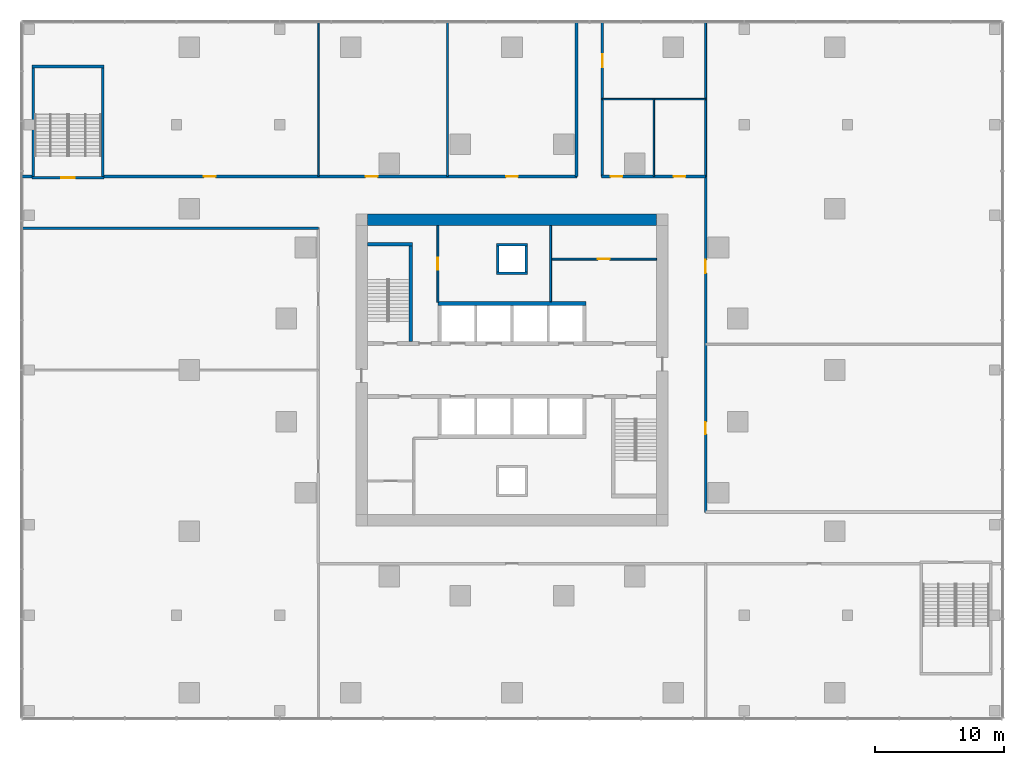
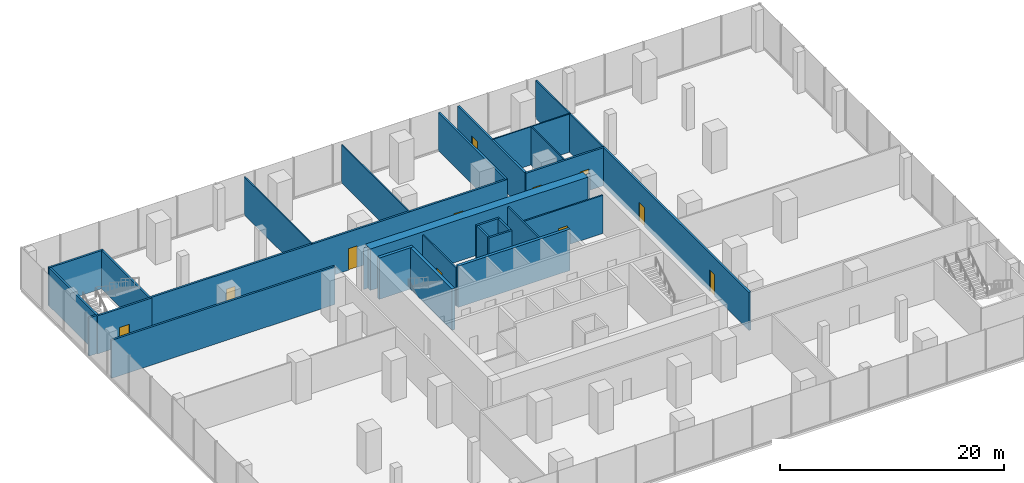
# One storey, part 11 of 15: 27 walls, 11 doors, 11 openings.
"""IFC4 building model written with IfcOpenShell, lengths in metres."""

import ifcopenshell
import ifcopenshell.guid

model = None  # the IFC model being written
_history = None  # IfcOwnerHistory: only IFC2X3 demands one
_inside = {}  # id of a spatial element -> (the spatial element, [elements in it])
_under = {}  # id of a project, library or spatial element -> (it, [spatial elements below it])
_declared = {}  # id of a project -> (the project, [libraries it declares])
_typed = {}  # id of a type object -> (the type object, [elements of that type])
_made_of = {}  # id of a material, layer set ... -> (it, [elements and type objects made of it])


def new_model(schema):
    """Start an empty IFC model of exactly this schema.

    Asked for "IFC4X3", IfcOpenShell would pick the latest addendum, in which some entities
    have other attributes; the version numbers below select the first issue.
    IFC2X3 requires an IfcOwnerHistory on every rooted entity: one is made here for all.
    """
    global model, _history
    if schema == "IFC4X3":
        model = ifcopenshell.file(schema_version=(4, 3, 0, 0))
    else:
        model = ifcopenshell.file(schema=schema)
    _inside.clear()
    _under.clear()
    _declared.clear()
    _typed.clear()
    _made_of.clear()
    _history = None
    if model.schema == "IFC2X3":
        org = make("IfcOrganization", Name="unknown")
        user = make(
            "IfcPersonAndOrganization",
            ThePerson=make("IfcPerson", FamilyName="unknown"),
            TheOrganization=org,
        )
        app = make(
            "IfcApplication",
            ApplicationDeveloper=org,
            Version="unknown",
            ApplicationFullName="unknown",
            ApplicationIdentifier="unknown",
        )
        _history = make(
            "IfcOwnerHistory",
            OwningUser=user,
            OwningApplication=app,
            ChangeAction="ADDED",
            CreationDate=0,
        )
    return model


def make(cls, **values):
    """One entity of the class cls with the attributes given. An attribute that is None is left unset."""
    return model.create_entity(
        cls, **{name: value for name, value in values.items() if value is not None}
    )


def rooted(cls, **values):
    """An entity with a GlobalId (a new one), such as an element, a storey or a relation."""
    return make(cls, GlobalId=ifcopenshell.guid.new(), OwnerHistory=_history, **values)


def si_unit(unit_type, name, prefix=None):
    """IfcSIUnit, for example si_unit("LENGTHUNIT", "METRE", prefix="MILLI")."""
    return make("IfcSIUnit", UnitType=unit_type, Prefix=prefix, Name=name)


def assignment(units):
    """IfcUnitAssignment: the units of a project."""
    return None if units is None else make("IfcUnitAssignment", Units=units)


def point(xyz):
    """IfcCartesianPoint."""
    return None if xyz is None else make("IfcCartesianPoint", Coordinates=xyz)


def direction(xyz):
    """IfcDirection."""
    return None if xyz is None else make("IfcDirection", DirectionRatios=xyz)


def frame(location, z_axis=None, x_axis=None):
    """IfcAxis2Placement3D, a coordinate frame: its origin and axes. An axis left out is left unset."""
    return make(
        "IfcAxis2Placement3D",
        Location=point(location),
        Axis=direction(z_axis),
        RefDirection=direction(x_axis),
    )


def frame_2d(location, x_axis=None):
    """IfcAxis2Placement2D, a coordinate frame in the plane: its origin and x axis."""
    return make(
        "IfcAxis2Placement2D", Location=point(location), RefDirection=direction(x_axis)
    )


def origin():
    """The frame at (0, 0, 0) with its axes left unset."""
    return frame((0.0, 0.0, 0.0))


def place(relative_to, where):
    """IfcLocalPlacement: puts the frame where relative to a parent placement (None: the world)."""
    return make(
        "IfcLocalPlacement", PlacementRelTo=relative_to, RelativePlacement=where
    )


def context(
    kind, dimensions, precision=None, world=None, true_north=None, identifier=None
):
    """IfcGeometricRepresentationContext, for example the 3D "Model" context."""
    return make(
        "IfcGeometricRepresentationContext",
        ContextIdentifier=identifier,
        ContextType=kind,
        CoordinateSpaceDimension=dimensions,
        Precision=precision,
        WorldCoordinateSystem=world,
        TrueNorth=true_north,
    )


def subcontext(parent, identifier, kind, view, scale=None):
    """IfcGeometricRepresentationSubContext, for example "Body" below "Model"."""
    return make(
        "IfcGeometricRepresentationSubContext",
        ContextIdentifier=identifier,
        ContextType=kind,
        ParentContext=parent,
        TargetScale=scale,
        TargetView=view,
    )


def project(units=None, contexts=None):
    """IfcProject with its units and contexts."""
    return rooted(
        "IfcProject",
        Name="project",
        RepresentationContexts=contexts,
        UnitsInContext=assignment(units),
    )


def spatial(cls, under=None, at=None, **own):
    """A site, building, storey or space (cls), placed at a placement, below another one or the project."""
    s = rooted(cls, ObjectPlacement=at, **own)
    if under is not None:
        _under.setdefault(under.id(), (under, []))[1].append(s)
    return s


def polyline(points):
    """IfcPolyline through the points."""
    return make("IfcPolyline", Points=[point(p) for p in points])


def profile(cls, at=None, kind="AREA", **sizes):
    """A parametric profile (cls). Its sizes go by their IFC names, for example OverallWidth=200.0."""
    return make(cls, ProfileType=kind, Position=at, **sizes)


def rectangle(**sizes):
    """IfcRectangleProfileDef."""
    return profile("IfcRectangleProfileDef", **sizes)


def outline(outer, holes=None, kind="AREA"):
    """IfcArbitraryClosedProfileDef: a profile drawn as a closed curve; with holes, ...WithVoids."""
    if holes is None:
        return make("IfcArbitraryClosedProfileDef", ProfileType=kind, OuterCurve=outer)
    return make(
        "IfcArbitraryProfileDefWithVoids",
        ProfileType=kind,
        OuterCurve=outer,
        InnerCurves=holes,
    )


def extrude(swept, where, along, depth):
    """IfcExtrudedAreaSolid: the profile swept, set in the frame where, extruded along a direction by depth."""
    return make(
        "IfcExtrudedAreaSolid",
        SweptArea=swept,
        Position=where,
        ExtrudedDirection=direction(along),
        Depth=depth,
    )


def shape(context_of_items, identifier, shape_type, items):
    """IfcShapeRepresentation: the items that make up one representation, for example the "Body"."""
    return make(
        "IfcShapeRepresentation",
        ContextOfItems=context_of_items,
        RepresentationIdentifier=identifier,
        RepresentationType=shape_type,
        Items=items,
    )


def material(Name=None, Category=None):
    """IfcMaterial."""
    return make("IfcMaterial", Name=Name, Category=Category)


def layer(
    of_material, thickness, ventilated=None, Name=None, Category=None, Priority=None
):
    """IfcMaterialLayer: one layer of a wall or slab, of a material (None: an air gap)."""
    return make(
        "IfcMaterialLayer",
        Material=of_material,
        LayerThickness=thickness,
        IsVentilated=ventilated,
        Name=Name,
        Category=Category,
        Priority=Priority,
    )


def layer_set(layers, Name=None):
    """IfcMaterialLayerSet."""
    return make("IfcMaterialLayerSet", MaterialLayers=layers, LayerSetName=Name)


def made_of(thing, what):
    """Note that an element or type object is made of a material, layer set ...; save() writes the relation."""
    if what is not None:
        _made_of.setdefault(what.id(), (what, []))[1].append(thing)
    return thing


def type_object(cls, material=None, **own):
    """A type object (cls), such as IfcWallType, which elements share."""
    return made_of(rooted(cls, **own), material)


def element(
    cls,
    number,
    at=None,
    inside=None,
    cuts=None,
    type_object=None,
    material=None,
    context=None,
    identifier="Body",
    shape_type=None,
    held_by="IfcProductDefinitionShape",
    body=None,
    shapes=None,
    **own,
):
    """One element of the class cls, such as IfcWall. Its Tag is "e" and its number.

    at: its placement. inside: the storey or other place that contains it. cuts: it is an
    opening in that element (IfcRelVoidsElement). A single representation is given by context,
    identifier, shape_type and body (its items); several are given by shapes. held_by: the class
    of the entity that holds the representations. save() writes the other relations.
    """
    e = rooted(cls, Tag="e%d" % number, ObjectPlacement=at, **own)
    if body is not None:
        shapes = [shape(context, identifier, shape_type, body)]
    if shapes is not None:
        e.Representation = make(held_by, Representations=shapes)
    if inside is not None:
        _inside.setdefault(inside.id(), (inside, []))[1].append(e)
    if cuts is not None:
        rooted(
            "IfcRelVoidsElement", RelatingBuildingElement=cuts, RelatedOpeningElement=e
        )
    if type_object is not None:
        _typed.setdefault(type_object.id(), (type_object, []))[1].append(e)
    return made_of(e, material)


def fill(opening, filler):
    """IfcRelFillsElement: the door or window that sits in an opening."""
    return rooted(
        "IfcRelFillsElement",
        RelatingOpeningElement=opening,
        RelatedBuildingElement=filler,
    )


def aggregate(whole, parts):
    """IfcRelAggregates: a whole, such as a stair, and the parts it consists of."""
    return rooted("IfcRelAggregates", RelatingObject=whole, RelatedObjects=parts)


def save(model, path):
    """Write the relations noted so far, then the file.

    IfcRelAggregates (storeys below a building ...), IfcRelContainedInSpatialStructure (elements
    in a storey), IfcRelDefinesByType, IfcRelAssociatesMaterial and IfcRelDeclares: one each for
    every whole, place, type object, material and project.
    """
    for whole, parts in _under.values():
        aggregate(whole, parts)
    for where, things in _inside.values():
        rooted(
            "IfcRelContainedInSpatialStructure",
            RelatedElements=things,
            RelatingStructure=where,
        )
    for kind, things in _typed.values():
        rooted("IfcRelDefinesByType", RelatedObjects=things, RelatingType=kind)
    for what, things in _made_of.values():
        rooted("IfcRelAssociatesMaterial", RelatedObjects=things, RelatingMaterial=what)
    for by, libraries in _declared.values():
        rooted("IfcRelDeclares", RelatingContext=by, RelatedDefinitions=libraries)
    model.write(path)


model = new_model("IFC4")

# Units and contexts
model_context = context("Model", 3, precision=1e-05, world=origin(), true_north=direction((0.0, 1.0)))
body_context = subcontext(model_context, "Body", "Model", "MODEL_VIEW")
ifc_project = project(units=[si_unit("LENGTHUNIT", "METRE"), si_unit("AREAUNIT", "SQUARE_METRE"), si_unit("VOLUMEUNIT", "CUBIC_METRE"), si_unit("PLANEANGLEUNIT", "RADIAN"), si_unit("MASSUNIT", "GRAM", prefix="KILO")], contexts=[model_context])

# Site, building, storey
site_placement = place(None, origin())
site = spatial("IfcSite", under=ifc_project, at=site_placement, CompositionType="ELEMENT")
building_placement = place(site_placement, origin())
building = spatial("IfcBuilding", under=site, at=building_placement, Name="Torsade Residences", CompositionType="ELEMENT")
storey_placement = place(building_placement, frame((0.0, 0.0, 6.0)))
storey = spatial("IfcBuildingStorey", under=building, at=storey_placement, Name="L01", CompositionType="ELEMENT", Elevation=6.0)

# Walls
ifc_material_1 = material(Name="Concrete 80 MPa", Category="concrete")
ifc_layer_1 = layer(ifc_material_1, 0.300048828125)
ifc_layer_set_1 = layer_set([ifc_layer_1], Name="Concrete 80 MPa")
wall_type_1 = type_object("IfcWallType", Name="CORE INTERNAL WALL 300", PredefinedType="SHEAR", material=ifc_layer_set_1)
wall_1_placement = place(storey_placement, frame((34.25, 35.14990234375, 0.0), z_axis=(0.0, 0.0, 1.0), x_axis=(1.0, 0.0, 0.0)))
element("IfcWall", 1, at=wall_1_placement, inside=storey, type_object=wall_type_1, Name="Core wall BN L01", PredefinedType="SHEAR", context=body_context, shape_type="SweptSolid", body=[
    extrude(rectangle(XDim=11.5, YDim=0.300048828125, at=frame_2d((5.75, 0.0))), origin(), (0.0, 0.0, 1.0), 4.5),
])
wall_2_placement = place(storey_placement, frame((32.14990234375, 32.199951171875, 0.0), z_axis=(0.0, 0.0, 1.0), x_axis=(0.0, 1.0, 0.0)))
element("IfcWall", 2, at=wall_2_placement, inside=storey, type_object=wall_type_1, Name="Core wall ST1E L01", PredefinedType="SHEAR", context=body_context, shape_type="SweptSolid", body=[
    extrude(rectangle(XDim=7.699951171875, YDim=0.300048828125, at=frame_2d((3.85009765625, 0.0))), origin(), (0.0, 0.0, 1.0), 4.5),
])
wall_3_placement = place(storey_placement, frame((28.800048828125, 39.75, 0.0), z_axis=(0.0, 0.0, 1.0), x_axis=(1.0, 0.0, 0.0)))
element("IfcWall", 3, at=wall_3_placement, inside=storey, type_object=wall_type_1, Name="Core wall ST1N L01", PredefinedType="SHEAR", context=body_context, shape_type="SweptSolid", body=[
    extrude(rectangle(XDim=3.5, YDim=0.300048828125, at=frame_2d((1.75, 0.0))), origin(), (0.0, 0.0, 1.0), 4.5),
])
ifc_material_2 = material(Name="Concrete 80 MPa", Category="concrete")
ifc_layer_2 = layer(ifc_material_2, 0.89990234375)
ifc_layer_set_2 = layer_set([ifc_layer_2], Name="Concrete 80 MPa")
wall_type_2 = type_object("IfcWallType", Name="CORE WALL 900", PredefinedType="SHEAR", material=ifc_layer_set_2)
wall_4_placement = place(storey_placement, frame((28.800048828125, 41.64990234375, 0.0), z_axis=(0.0, 0.0, 1.0), x_axis=(1.0, 0.0, 0.0)))
element("IfcWall", 4, at=wall_4_placement, inside=storey, type_object=wall_type_2, Name="Core wall N L01", PredefinedType="SHEAR", context=body_context, shape_type="SweptSolid", body=[
    extrude(outline(polyline([(0.0, -0.449951171875), (22.39990234375, -0.449951171875), (22.39990234375, -0.02490234375), (22.849853515625, -0.02490234375), (22.849853515625, 0.02490234375), (22.39990234375, 0.02490234375), (22.39990234375, 0.449951171875), (0.0, 0.449951171875), (0.0, 0.02490234375), (-0.449951171875, 0.02490234375), (-0.449951171875, -0.02490234375), (0.0, -0.02490234375), (0.0, -0.449951171875)])), origin(), (0.0, 0.0, 1.0), 4.5),
])

# Wall, openings, doors
ifc_material_3 = material(Name="Plasterboard on steel stud", Category="steel")
ifc_layer_3 = layer(ifc_material_3, 0.199951171875)
ifc_layer_set_3 = layer_set([ifc_layer_3], Name="Plasterboard on steel stud")
wall_type_3 = type_object("IfcWallType", Name="CORRIDOR WALL 200", PredefinedType="PARTITIONING", material=ifc_layer_set_3)
wall_5_placement = place(storey_placement, frame((8.39990234375, 45.0, 0.0), z_axis=(0.0, 0.0, 1.0), x_axis=(1.0, 0.0, 0.0)))
wall_5 = element("IfcWall", 5, at=wall_5_placement, inside=storey, type_object=wall_type_3, Name="Corridor wall L01", PredefinedType="PARTITIONING", context=body_context, shape_type="SweptSolid", body=[
    extrude(rectangle(XDim=36.650146484375, YDim=0.199951171875, at=frame_2d((18.3251953125, 0.0))), origin(), (0.0, 0.0, 1.0), 4.14990234375),
])
opening_1_placement = place(wall_5_placement, frame((31.139892578125, 0.0, 0.0)))
opening_1 = element("IfcOpeningElement", 6, at=opening_1_placement, cuts=wall_5, Name="Opening D02", PredefinedType="OPENING", context=body_context, shape_type="SweptSolid", body=[
    extrude(rectangle(XDim=0.919921875, YDim=2.340087890625, at=frame_2d((0.4599609375, 1.169921875))), frame((0.0, 0.10986328125, 0.0), z_axis=(0.0, -1.0, 0.0), x_axis=(1.0, 0.0, 0.0)), (0.0, 0.0, 1.0), 0.219970703125),
])
opening_2_placement = place(wall_5_placement, frame((20.264892578125, 0.0, 0.0)))
opening_2 = element("IfcOpeningElement", 7, at=opening_2_placement, cuts=wall_5, Name="Opening D02", PredefinedType="OPENING", context=body_context, shape_type="SweptSolid", body=[
    extrude(rectangle(XDim=0.919921875, YDim=2.340087890625, at=frame_2d((0.4599609375, 1.169921875))), frame((0.0, 0.10986328125, 0.0), z_axis=(0.0, -1.0, 0.0), x_axis=(1.0, 0.0, 0.0)), (0.0, 0.0, 1.0), 0.219970703125),
])
opening_3_placement = place(wall_5_placement, frame((7.715087890625, 0.0, 0.0)))
opening_3 = element("IfcOpeningElement", 8, at=opening_3_placement, cuts=wall_5, Name="Opening D02", PredefinedType="OPENING", context=body_context, shape_type="SweptSolid", body=[
    extrude(rectangle(XDim=0.919921875, YDim=2.340087890625, at=frame_2d((0.4599609375, 1.169921875))), frame((0.0, 0.10986328125, 0.0), z_axis=(0.0, -1.0, 0.0), x_axis=(1.0, 0.0, 0.0)), (0.0, 0.0, 1.0), 0.219970703125),
])
ifc_material_4 = material(Name="Hollow-core timber door", Category="wood")
door_type_1 = type_object("IfcDoorType", Name="INTERNAL DOOR 920x2340", OperationType="NOTDEFINED", PredefinedType="DOOR", material=ifc_material_4)
door_1_placement = place(opening_1_placement, origin())
door_1 = element("IfcDoor", 9, at=door_1_placement, inside=storey, type_object=door_type_1, Name="Door Amenity corridor to Male change room", OperationType="SINGLE_SWING_RIGHT", OverallHeight=2.340087890625, OverallWidth=0.919921875, PredefinedType="DOOR", context=body_context, shape_type="SweptSolid", body=[
    extrude(rectangle(XDim=0.919921875, YDim=2.340087890625, at=frame_2d((0.4599609375, 1.169921875))), frame((0.0, 0.02490234375, 0.0), z_axis=(0.0, -1.0, 0.0), x_axis=(1.0, 0.0, 0.0)), (0.0, 0.0, 1.0), 0.050048828125),
])
fill(opening_1, door_1)
door_2_placement = place(opening_2_placement, origin())
door_2 = element("IfcDoor", 10, at=door_2_placement, inside=storey, type_object=door_type_1, Name="Door Amenity corridor to Female change room", OperationType="SINGLE_SWING_RIGHT", OverallHeight=2.340087890625, OverallWidth=0.919921875, PredefinedType="DOOR", context=body_context, shape_type="SweptSolid", body=[
    extrude(rectangle(XDim=0.919921875, YDim=2.340087890625, at=frame_2d((0.4599609375, 1.169921875))), frame((0.0, 0.02490234375, 0.0), z_axis=(0.0, -1.0, 0.0), x_axis=(1.0, 0.0, 0.0)), (0.0, 0.0, 1.0), 0.050048828125),
])
fill(opening_2, door_2)
door_3_placement = place(opening_3_placement, origin())
door_3 = element("IfcDoor", 11, at=door_3_placement, inside=storey, type_object=door_type_1, Name="Door Amenity corridor west to Co-working room", OperationType="SINGLE_SWING_RIGHT", OverallHeight=2.340087890625, OverallWidth=0.919921875, PredefinedType="DOOR", context=body_context, shape_type="SweptSolid", body=[
    extrude(rectangle(XDim=0.919921875, YDim=2.340087890625, at=frame_2d((0.4599609375, 1.169921875))), frame((0.0, 0.02490234375, 0.0), z_axis=(0.0, -1.0, 0.0), x_axis=(1.0, 0.0, 0.0)), (0.0, 0.0, 1.0), 0.050048828125),
])
fill(opening_3, door_3)

wall_6_placement = place(storey_placement, frame((46.949951171875, 45.0, 0.0), z_axis=(0.0, 0.0, 1.0), x_axis=(1.0, 0.0, 0.0)))
wall_6 = element("IfcWall", 12, at=wall_6_placement, inside=storey, type_object=wall_type_3, Name="Corridor wall L01", PredefinedType="PARTITIONING", context=body_context, shape_type="SweptSolid", body=[
    extrude(rectangle(XDim=8.050048828125, YDim=0.199951171875, at=frame_2d((4.02490234375, 0.0))), origin(), (0.0, 0.0, 1.0), 4.14990234375),
])
opening_4_placement = place(wall_6_placement, frame((0.68994140625, 0.0, 0.0)))
opening_4 = element("IfcOpeningElement", 13, at=opening_4_placement, cuts=wall_6, Name="Opening D02", PredefinedType="OPENING", context=body_context, shape_type="SweptSolid", body=[
    extrude(rectangle(XDim=0.919921875, YDim=2.340087890625, at=frame_2d((0.4599609375, 1.169921875))), frame((0.0, 0.10986328125, 0.0), z_axis=(0.0, -1.0, 0.0), x_axis=(1.0, 0.0, 0.0)), (0.0, 0.0, 1.0), 0.219970703125),
])
opening_5_placement = place(wall_6_placement, frame((5.56494140625, 0.0, 0.0)))
opening_5 = element("IfcOpeningElement", 14, at=opening_5_placement, cuts=wall_6, Name="Opening D02", PredefinedType="OPENING", context=body_context, shape_type="SweptSolid", body=[
    extrude(rectangle(XDim=0.919921875, YDim=2.340087890625, at=frame_2d((0.4599609375, 1.169921875))), frame((0.0, 0.10986328125, 0.0), z_axis=(0.0, -1.0, 0.0), x_axis=(1.0, 0.0, 0.0)), (0.0, 0.0, 1.0), 0.219970703125),
])
door_4_placement = place(opening_4_placement, origin())
door_4 = element("IfcDoor", 15, at=door_4_placement, inside=storey, type_object=door_type_1, Name="Door Amenity corridor to Accessible WC and shower", OperationType="SINGLE_SWING_RIGHT", OverallHeight=2.340087890625, OverallWidth=0.919921875, PredefinedType="DOOR", context=body_context, shape_type="SweptSolid", body=[
    extrude(rectangle(XDim=0.919921875, YDim=2.340087890625, at=frame_2d((0.4599609375, 1.169921875))), frame((0.0, 0.02490234375, 0.0), z_axis=(0.0, -1.0, 0.0), x_axis=(1.0, 0.0, 0.0)), (0.0, 0.0, 1.0), 0.050048828125),
])
fill(opening_4, door_4)
door_5_placement = place(opening_5_placement, origin())
door_5 = element("IfcDoor", 16, at=door_5_placement, inside=storey, type_object=door_type_1, Name="Door Amenity corridor to Baby change room", OperationType="SINGLE_SWING_LEFT", OverallHeight=2.340087890625, OverallWidth=0.919921875, PredefinedType="DOOR", context=body_context, shape_type="SweptSolid", body=[
    extrude(rectangle(XDim=0.919921875, YDim=2.340087890625, at=frame_2d((0.4599609375, 1.169921875))), frame((0.0, 0.02490234375, 0.0), z_axis=(0.0, -1.0, 0.0), x_axis=(1.0, 0.0, 0.0)), (0.0, 0.0, 1.0), 0.050048828125),
])
fill(opening_5, door_5)

wall_7_placement = place(storey_placement, frame((55.0, 45.0, 0.0), z_axis=(0.0, 0.0, 1.0), x_axis=(0.0, -1.0, 0.0)))
wall_7 = element("IfcWall", 17, at=wall_7_placement, inside=storey, type_object=wall_type_3, Name="Corridor wall L01", PredefinedType="PARTITIONING", context=body_context, shape_type="SweptSolid", body=[
    extrude(rectangle(XDim=26.050048828125, YDim=0.199951171875, at=frame_2d((13.02490234375, 0.0))), origin(), (0.0, 0.0, 1.0), 4.14990234375),
])
opening_6_placement = place(wall_7_placement, frame((19.0400390625, 0.0, 0.0)))
opening_6 = element("IfcOpeningElement", 18, at=opening_6_placement, cuts=wall_7, Name="Opening D02", PredefinedType="OPENING", context=body_context, shape_type="SweptSolid", body=[
    extrude(rectangle(XDim=0.919921875, YDim=2.340087890625, at=frame_2d((0.4599609375, 1.169921875))), frame((0.0, 0.10986328125, 0.0), z_axis=(0.0, -1.0, 0.0), x_axis=(1.0, 0.0, 0.0)), (0.0, 0.0, 1.0), 0.219970703125),
])
opening_7_placement = place(wall_7_placement, frame((6.465087890625, 0.0, 0.0)))
opening_7 = element("IfcOpeningElement", 19, at=opening_7_placement, cuts=wall_7, Name="Opening D03", PredefinedType="OPENING", context=body_context, shape_type="SweptSolid", body=[
    extrude(rectangle(XDim=1.02001953125, YDim=2.10009765625, at=frame_2d((0.510009765625, 1.050048828125))), frame((0.0, 0.10986328125, 0.0), z_axis=(0.0, -1.0, 0.0), x_axis=(1.0, 0.0, 0.0)), (0.0, 0.0, 1.0), 0.219970703125),
])
ifc_material_5 = material(Name="Steel-framed fire door", Category="steel")
door_type_2 = type_object("IfcDoorType", Name="FIRE DOOR 1020", OperationType="NOTDEFINED", PredefinedType="DOOR", material=ifc_material_5)
door_6_placement = place(opening_7_placement, origin())
door_6 = element("IfcDoor", 20, at=door_6_placement, inside=storey, type_object=door_type_2, Name="Door Amenity corridor to Residents storage", OperationType="SINGLE_SWING_LEFT", OverallHeight=2.10009765625, OverallWidth=1.02001953125, PredefinedType="DOOR", context=body_context, shape_type="SweptSolid", body=[
    extrude(rectangle(XDim=1.02001953125, YDim=2.10009765625, at=frame_2d((0.510009765625, 1.050048828125))), frame((0.0, 0.02490234375, 0.0), z_axis=(0.0, -1.0, 0.0), x_axis=(1.0, 0.0, 0.0)), (0.0, 0.0, 1.0), 0.050048828125),
])
fill(opening_7, door_6)
door_7_placement = place(opening_6_placement, origin())
door_7 = element("IfcDoor", 21, at=door_7_placement, inside=storey, type_object=door_type_1, Name="Door Amenity corridor to Wellness room", OperationType="SINGLE_SWING_LEFT", OverallHeight=2.340087890625, OverallWidth=0.919921875, PredefinedType="DOOR", context=body_context, shape_type="SweptSolid", body=[
    extrude(rectangle(XDim=0.919921875, YDim=2.340087890625, at=frame_2d((0.4599609375, 1.169921875))), frame((0.0, 0.02490234375, 0.0), z_axis=(0.0, -1.0, 0.0), x_axis=(1.0, 0.0, 0.0)), (0.0, 0.0, 1.0), 0.050048828125),
])
fill(opening_6, door_7)

# Walls
wall_8_placement = place(storey_placement, frame((25.0, 41.0, 0.0), z_axis=(0.0, 0.0, 1.0), x_axis=(-1.0, 0.0, 0.0)))
element("IfcWall", 22, at=wall_8_placement, inside=storey, type_object=wall_type_3, Name="Corridor wall L01", PredefinedType="PARTITIONING", context=body_context, shape_type="SweptSolid", body=[
    extrude(rectangle(XDim=23.0, YDim=0.199951171875, at=frame_2d((11.5, 0.0))), origin(), (0.0, 0.0, 1.0), 4.14990234375),
])
wall_9_placement = place(storey_placement, frame((2.0, 45.0, 0.0), z_axis=(0.0, 0.0, 1.0), x_axis=(1.0, 0.0, 0.0)))
element("IfcWall", 23, at=wall_9_placement, inside=storey, type_object=wall_type_3, Name="Corridor wall L01", PredefinedType="PARTITIONING", context=body_context, shape_type="SweptSolid", body=[
    extrude(rectangle(XDim=0.800048828125, YDim=0.199951171875, at=frame_2d((0.39990234375, 0.0))), origin(), (0.0, 0.0, 1.0), 4.14990234375),
])
wall_10_placement = place(storey_placement, frame((45.0, 57.0, 0.0), z_axis=(0.0, 0.0, 1.0), x_axis=(0.0, -1.0, 0.0)))
element("IfcWall", 24, at=wall_10_placement, inside=storey, type_object=wall_type_3, Name="Corridor wall L01", PredefinedType="PARTITIONING", context=body_context, shape_type="SweptSolid", body=[
    extrude(rectangle(XDim=12.0, YDim=0.199951171875, at=frame_2d((6.0, 0.0))), origin(), (0.0, 0.0, 1.0), 4.14990234375),
])

# Wall, opening, door
wall_11_placement = place(storey_placement, frame((47.0, 57.0, 0.0), z_axis=(0.0, 0.0, 1.0), x_axis=(0.0, -1.0, 0.0)))
wall_11 = element("IfcWall", 25, at=wall_11_placement, inside=storey, type_object=wall_type_3, Name="Corridor wall L01", PredefinedType="PARTITIONING", context=body_context, shape_type="SweptSolid", body=[
    extrude(rectangle(XDim=12.0, YDim=0.199951171875, at=frame_2d((6.0, 0.0))), origin(), (0.0, 0.0, 1.0), 4.14990234375),
])
opening_8_placement = place(wall_11_placement, frame((2.514892578125, 0.0, 0.0)))
opening_8 = element("IfcOpeningElement", 26, at=opening_8_placement, cuts=wall_11, Name="Opening D04", PredefinedType="OPENING", context=body_context, shape_type="SweptSolid", body=[
    extrude(rectangle(XDim=1.02001953125, YDim=2.39990234375, at=frame_2d((0.510009765625, 1.199951171875))), frame((0.0, 0.10986328125, 0.0), z_axis=(0.0, -1.0, 0.0), x_axis=(1.0, 0.0, 0.0)), (0.0, 0.0, 1.0), 0.219970703125),
])
ifc_material_6 = material(Name="Steel-framed fire door", Category="steel")
door_type_3 = type_object("IfcDoorType", Name="LOBBY SMOKE DOOR 1020x2400", OperationType="NOTDEFINED", PredefinedType="DOOR", material=ifc_material_6)
door_8_placement = place(opening_8_placement, origin())
door_8 = element("IfcDoor", 27, at=door_8_placement, inside=storey, type_object=door_type_3, Name="Door WC lobby to First aid room", OperationType="SINGLE_SWING_RIGHT", OverallHeight=2.39990234375, OverallWidth=1.02001953125, PredefinedType="DOOR", context=body_context, shape_type="SweptSolid", body=[
    extrude(rectangle(XDim=1.02001953125, YDim=2.39990234375, at=frame_2d((0.510009765625, 1.199951171875))), frame((0.0, 0.02490234375, 0.0), z_axis=(0.0, -1.0, 0.0), x_axis=(1.0, 0.0, 0.0)), (0.0, 0.0, 1.0), 0.050048828125),
])
fill(opening_8, door_8)

# Walls
ifc_material_7 = material(Name="Plasterboard on steel stud", Category="steel")
ifc_layer_4 = layer(ifc_material_7, 0.1201171875)
ifc_layer_set_4 = layer_set([ifc_layer_4], Name="Plasterboard on steel stud")
wall_type_4 = type_object("IfcWallType", Name="PARTITION 120", PredefinedType="PARTITIONING", material=ifc_layer_set_4)
for number, where, z_axis, x_axis, name in (
    (28, (25.0, 57.0, 0.0), (0.0, 0.0, 1.0), (0.0, -1.0, 0.0), "Partition L01"),
    (29, (35.0, 57.0, 0.0), (0.0, 0.0, 1.0), (0.0, -1.0, 0.0), "Partition L01"),
):
    element("IfcWall", number, at=place(storey_placement, frame(where, z_axis=z_axis, x_axis=x_axis)), inside=storey, type_object=wall_type_4, Name=name, PredefinedType="PARTITIONING", context=body_context, shape_type="SweptSolid", body=[
        extrude(rectangle(XDim=12.0, YDim=0.1201171875, at=frame_2d((6.0, 0.0))), origin(), (0.0, 0.0, 1.0), 4.14990234375),
    ])
wall_12_placement = place(storey_placement, frame((51.0, 51.0, 0.0), z_axis=(0.0, 0.0, 1.0), x_axis=(0.0, -1.0, 0.0)))
element("IfcWall", 30, at=wall_12_placement, inside=storey, type_object=wall_type_4, Name="Partition L01", PredefinedType="PARTITIONING", context=body_context, shape_type="SweptSolid", body=[
    extrude(rectangle(XDim=6.0, YDim=0.1201171875, at=frame_2d((3.0, 0.0))), origin(), (0.0, 0.0, 1.0), 4.14990234375),
])
wall_13_placement = place(storey_placement, frame((47.0, 51.0, 0.0), z_axis=(0.0, 0.0, 1.0), x_axis=(1.0, 0.0, 0.0)))
element("IfcWall", 31, at=wall_13_placement, inside=storey, type_object=wall_type_4, Name="Partition L01", PredefinedType="PARTITIONING", context=body_context, shape_type="SweptSolid", body=[
    extrude(rectangle(XDim=8.0, YDim=0.1201171875, at=frame_2d((4.0, 0.0))), origin(), (0.0, 0.0, 1.0), 4.14990234375),
])

# Wall, opening, door
ifc_material_8 = material(Name="Reinforced blockwork", Category="masonry")
ifc_layer_5 = layer(ifc_material_8, 0.199951171875)
ifc_layer_set_5 = layer_set([ifc_layer_5], Name="Reinforced blockwork")
wall_type_5 = type_object("IfcWallType", Name="PODIUM STAIR ENCLOSURE WALL 200", PredefinedType="SOLIDWALL", material=ifc_layer_set_5)
wall_14_placement = place(storey_placement, frame((2.800048828125, 44.89990234375, 0.0), z_axis=(0.0, 0.0, 1.0), x_axis=(1.0, 0.0, 0.0)))
wall_14 = element("IfcWall", 32, at=wall_14_placement, inside=storey, type_object=wall_type_5, Name="Stair enclosure wall L01", PredefinedType="SOLIDWALL", context=body_context, shape_type="SweptSolid", body=[
    extrude(rectangle(XDim=5.599853515625, YDim=0.199951171875, at=frame_2d((2.7998046875, 0.0))), origin(), (0.0, 0.0, 1.0), 4.14990234375),
])
opening_9_placement = place(wall_14_placement, frame((2.2900390625, 0.0, 0.0)))
opening_9 = element("IfcOpeningElement", 33, at=opening_9_placement, cuts=wall_14, Name="Opening D03", PredefinedType="OPENING", context=body_context, shape_type="SweptSolid", body=[
    extrude(rectangle(XDim=1.02001953125, YDim=2.10009765625, at=frame_2d((0.510009765625, 1.050048828125))), frame((0.0, 0.10986328125, 0.0), z_axis=(0.0, -1.0, 0.0), x_axis=(1.0, 0.0, 0.0)), (0.0, 0.0, 1.0), 0.219970703125),
])
door_9_placement = place(opening_9_placement, origin())
door_9 = element("IfcDoor", 34, at=door_9_placement, inside=storey, type_object=door_type_2, Name="Exit door to fire-isolated stair ST3 L01", OperationType="SINGLE_SWING_LEFT", OverallHeight=2.10009765625, OverallWidth=1.02001953125, PredefinedType="DOOR", context=body_context, shape_type="SweptSolid", body=[
    extrude(rectangle(XDim=1.02001953125, YDim=2.10009765625, at=frame_2d((0.510009765625, 1.050048828125))), frame((0.0, 0.02490234375, 0.0), z_axis=(0.0, -1.0, 0.0), x_axis=(1.0, 0.0, 0.0)), (0.0, 0.0, 1.0), 0.050048828125),
])
fill(opening_9, door_9)

# Walls
wall_15_placement = place(storey_placement, frame((8.300048828125, 45.0, 0.0), z_axis=(0.0, 0.0, 1.0), x_axis=(0.0, 1.0, 0.0)))
element("IfcWall", 35, at=wall_15_placement, inside=storey, type_object=wall_type_5, Name="Stair enclosure wall L01", PredefinedType="SOLIDWALL", context=body_context, shape_type="SweptSolid", body=[
    extrude(rectangle(XDim=8.419921875, YDim=0.199951171875, at=frame_2d((4.2099609375, 0.0))), origin(), (0.0, 0.0, 1.0), 4.14990234375),
])
wall_16_placement = place(storey_placement, frame((8.39990234375, 53.52001953125, 0.0), z_axis=(0.0, 0.0, 1.0), x_axis=(-1.0, 0.0, 0.0)))
element("IfcWall", 36, at=wall_16_placement, inside=storey, type_object=wall_type_5, Name="Stair enclosure wall L01", PredefinedType="SOLIDWALL", context=body_context, shape_type="SweptSolid", body=[
    extrude(rectangle(XDim=5.599853515625, YDim=0.199951171875, at=frame_2d((2.7998046875, 0.0))), origin(), (0.0, 0.0, 1.0), 4.14990234375),
])
wall_17_placement = place(storey_placement, frame((2.89990234375, 53.419921875, 0.0), z_axis=(0.0, 0.0, 1.0), x_axis=(0.0, -1.0, 0.0)))
element("IfcWall", 37, at=wall_17_placement, inside=storey, type_object=wall_type_5, Name="Stair enclosure wall L01", PredefinedType="SOLIDWALL", context=body_context, shape_type="SweptSolid", body=[
    extrude(rectangle(XDim=8.419921875, YDim=0.199951171875, at=frame_2d((4.2099609375, 0.0))), origin(), (0.0, 0.0, 1.0), 4.14990234375),
])
ifc_material_9 = material(Name="Reinforced blockwork", Category="masonry")
ifc_layer_6 = layer(ifc_material_9, 0.199951171875)
ifc_layer_set_6 = layer_set([ifc_layer_6], Name="Reinforced blockwork")
wall_type_6 = type_object("IfcWallType", Name="RISER SHAFT WALL 200", PredefinedType="SOLIDWALL", material=ifc_layer_set_6)
for number, where, z_axis, x_axis, name in (
    (38, (38.89990234375, 37.60009765625, 0.0), (0.0, 0.0, 1.0), (0.0, 1.0, 0.0), "Core wall RS1a L01"),
    (39, (41.10009765625, 37.60009765625, 0.0), (0.0, 0.0, 1.0), (0.0, 1.0, 0.0), "Core wall RS1b L01"),
):
    element("IfcWall", number, at=place(storey_placement, frame(where, z_axis=z_axis, x_axis=x_axis)), inside=storey, type_object=wall_type_6, Name=name, PredefinedType="SOLIDWALL", context=body_context, shape_type="SweptSolid", body=[
        extrude(rectangle(XDim=2.0, YDim=0.199951171875, at=frame_2d((1.0, 0.0))), origin(), (0.0, 0.0, 1.0), 4.5),
    ])
for number, where, z_axis, x_axis, name in (
    (40, (38.800048828125, 37.5, 0.0), (0.0, 0.0, 1.0), (1.0, 0.0, 0.0), "Core wall RS1c L01"),
    (41, (38.800048828125, 39.699951171875, 0.0), (0.0, 0.0, 1.0), (1.0, 0.0, 0.0), "Core wall RS1d L01"),
):
    element("IfcWall", number, at=place(storey_placement, frame(where, z_axis=z_axis, x_axis=x_axis)), inside=storey, type_object=wall_type_6, Name=name, PredefinedType="SOLIDWALL", context=body_context, shape_type="SweptSolid", body=[
        extrude(rectangle(XDim=2.39990234375, YDim=0.199951171875, at=frame_2d((1.199951171875, 0.0))), origin(), (0.0, 0.0, 1.0), 4.5),
    ])

# Wall, opening, door
ifc_material_10 = material(Name="Reinforced blockwork", Category="masonry")
ifc_layer_7 = layer(ifc_material_10, 0.14990234375)
ifc_layer_set_7 = layer_set([ifc_layer_7], Name="Reinforced blockwork")
wall_type_7 = type_object("IfcWallType", Name="SERVICE ROOM WALL 150", PredefinedType="SOLIDWALL", material=ifc_layer_set_7)
wall_18_placement = place(storey_placement, frame((34.25, 41.199951171875, 0.0), z_axis=(0.0, 0.0, 1.0), x_axis=(0.0, -1.0, 0.0)))
wall_18 = element("IfcWall", 42, at=wall_18_placement, inside=storey, type_object=wall_type_7, Name="Service room wall L01", PredefinedType="SOLIDWALL", context=body_context, shape_type="SweptSolid", body=[
    extrude(rectangle(XDim=5.949951171875, YDim=0.14990234375, at=frame_2d((2.97509765625, 0.0))), origin(), (0.0, 0.0, 1.0), 4.14990234375),
])
opening_10_placement = place(wall_18_placement, frame((2.514892578125, 0.0, 0.0)))
opening_10 = element("IfcOpeningElement", 43, at=opening_10_placement, cuts=wall_18, Name="Opening D06", PredefinedType="OPENING", context=body_context, shape_type="SweptSolid", body=[
    extrude(rectangle(XDim=0.919921875, YDim=2.10009765625, at=frame_2d((0.4599609375, 1.050048828125))), frame((0.0, 0.0849609375, 0.0), z_axis=(0.0, -1.0, 0.0), x_axis=(1.0, 0.0, 0.0)), (0.0, 0.0, 1.0), 0.169921875),
])
ifc_material_11 = material(Name="Steel-framed fire door", Category="steel")
door_type_4 = type_object("IfcDoorType", Name="FIRE DOOR 920", OperationType="NOTDEFINED", PredefinedType="DOOR", material=ifc_material_11)
door_10_placement = place(opening_10_placement, origin())
door_10 = element("IfcDoor", 44, at=door_10_placement, inside=storey, type_object=door_type_4, Name="Door Meter store to Electrical riser room", OperationType="SINGLE_SWING_LEFT", OverallHeight=2.10009765625, OverallWidth=0.919921875, PredefinedType="DOOR", context=body_context, shape_type="SweptSolid", body=[
    extrude(rectangle(XDim=0.919921875, YDim=2.10009765625, at=frame_2d((0.4599609375, 1.050048828125))), frame((0.0, 0.02490234375, 0.0), z_axis=(0.0, -1.0, 0.0), x_axis=(1.0, 0.0, 0.0)), (0.0, 0.0, 1.0), 0.050048828125),
])
fill(opening_10, door_10)

# Wall
wall_19_placement = place(storey_placement, frame((43.0, 41.199951171875, 0.0), z_axis=(0.0, 0.0, 1.0), x_axis=(0.0, -1.0, 0.0)))
element("IfcWall", 45, at=wall_19_placement, inside=storey, type_object=wall_type_7, Name="Service room wall L01", PredefinedType="SOLIDWALL", context=body_context, shape_type="SweptSolid", body=[
    extrude(rectangle(XDim=5.89990234375, YDim=0.14990234375, at=frame_2d((2.949951171875, 0.0))), origin(), (0.0, 0.0, 1.0), 4.14990234375),
])

# Wall, opening, door
wall_20_placement = place(storey_placement, frame((43.0, 38.60009765625, 0.0), z_axis=(0.0, 0.0, 1.0), x_axis=(1.0, 0.0, 0.0)))
wall_20 = element("IfcWall", 46, at=wall_20_placement, inside=storey, type_object=wall_type_7, Name="Service room wall L01", PredefinedType="SOLIDWALL", context=body_context, shape_type="SweptSolid", body=[
    extrude(rectangle(XDim=8.199951171875, YDim=0.14990234375, at=frame_2d((4.10009765625, 0.0))), origin(), (0.0, 0.0, 1.0), 4.14990234375),
])
opening_11_placement = place(wall_20_placement, frame((3.639892578125, 0.0, 0.0)))
opening_11 = element("IfcOpeningElement", 47, at=opening_11_placement, cuts=wall_20, Name="Opening D06", PredefinedType="OPENING", context=body_context, shape_type="SweptSolid", body=[
    extrude(rectangle(XDim=0.919921875, YDim=2.10009765625, at=frame_2d((0.4599609375, 1.050048828125))), frame((0.0, 0.0849609375, 0.0), z_axis=(0.0, -1.0, 0.0), x_axis=(1.0, 0.0, 0.0)), (0.0, 0.0, 1.0), 0.169921875),
])
door_11_placement = place(opening_11_placement, origin())
door_11 = element("IfcDoor", 48, at=door_11_placement, inside=storey, type_object=door_type_4, Name="Door Refuse room to Recycling room", OperationType="SINGLE_SWING_LEFT", OverallHeight=2.10009765625, OverallWidth=0.919921875, PredefinedType="DOOR", context=body_context, shape_type="SweptSolid", body=[
    extrude(rectangle(XDim=0.919921875, YDim=2.10009765625, at=frame_2d((0.4599609375, 1.050048828125))), frame((0.0, 0.02490234375, 0.0), z_axis=(0.0, -1.0, 0.0), x_axis=(1.0, 0.0, 0.0)), (0.0, 0.0, 1.0), 0.050048828125),
])
fill(opening_11, door_11)

# Wall
wall_21_placement = place(storey_placement, frame((55.0, 57.0, 0.0), z_axis=(0.0, 0.0, 1.0), x_axis=(0.0, -1.0, 0.0)))
element("IfcWall", 49, at=wall_21_placement, inside=storey, type_object=wall_type_7, Name="Service room wall L01", PredefinedType="SOLIDWALL", context=body_context, shape_type="SweptSolid", body=[
    extrude(rectangle(XDim=12.0, YDim=0.14990234375, at=frame_2d((6.0, 0.0))), origin(), (0.0, 0.0, 1.0), 4.14990234375),
])

save(model, "model.ifc")
